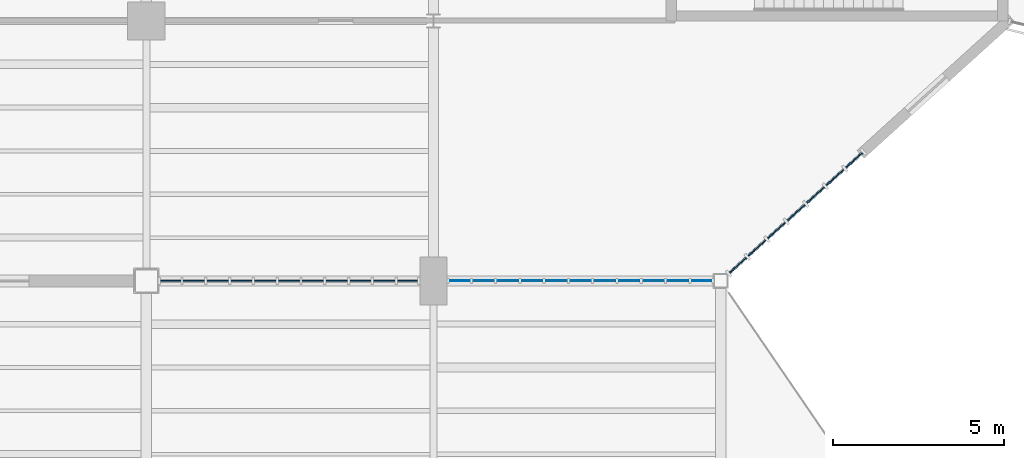
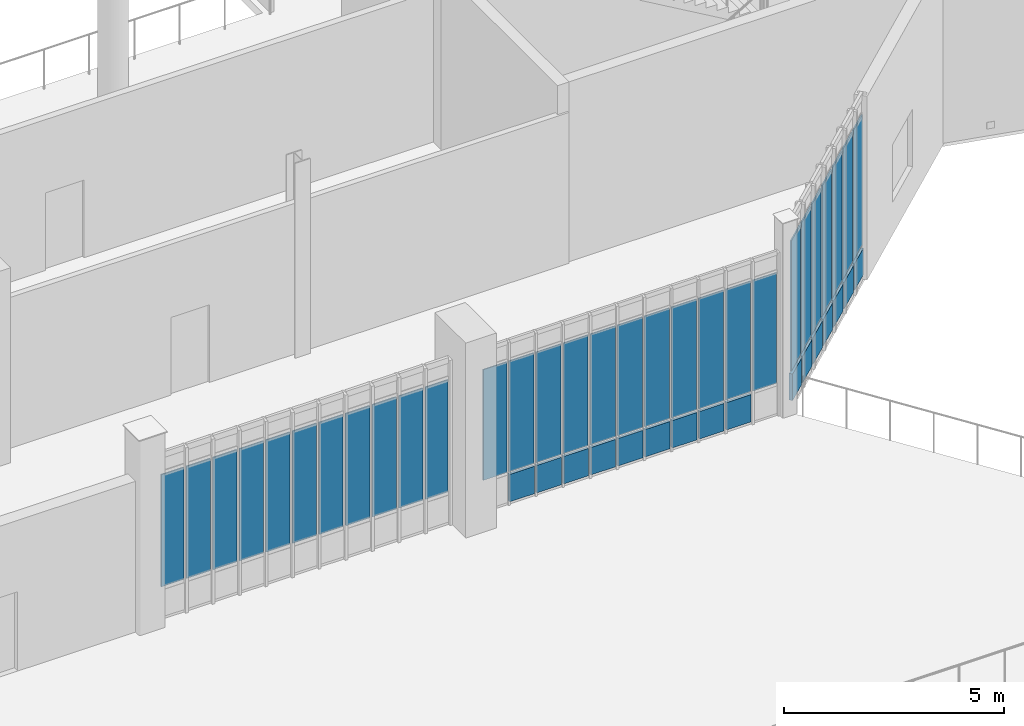
# One storey, part 70 of 127: 45 plates, 3 elements without a shape of their own.
"""IFC4 building model written with IfcOpenShell, lengths in metres."""

from ifc_helpers import new_model, si_unit, direction, frame, origin, origin_2d, place, context, subcontext, project, spatial, rectangle, extrude, material, layer, layer_set, type_object, element, aggregate, save


model = new_model("IFC4")

# Units and contexts
model_context = context("Model", 3, precision=1e-05, world=origin(), true_north=direction((0.0, 1.0)))
body_context = subcontext(model_context, "Body", "Model", "MODEL_VIEW")
ifc_project = project(units=[si_unit("LENGTHUNIT", "METRE"), si_unit("AREAUNIT", "SQUARE_METRE"), si_unit("VOLUMEUNIT", "CUBIC_METRE"), si_unit("PLANEANGLEUNIT", "RADIAN"), si_unit("MASSUNIT", "GRAM", prefix="KILO")], contexts=[model_context])

# Site, building, storey
site_placement = place(None, origin())
site = spatial("IfcSite", under=ifc_project, at=site_placement, CompositionType="ELEMENT")
building_placement = place(site_placement, origin())
building = spatial("IfcBuilding", under=site, at=building_placement, Name="Larkvane Passage Sports Hall", CompositionType="ELEMENT")
storey_placement = place(building_placement, frame((0.0, 0.0, 5.39990234375)))
storey = spatial("IfcBuildingStorey", under=building, at=storey_placement, Name="L01", CompositionType="ELEMENT", Elevation=5.39990234375)

# Curtain wall, plates
ifc_material_1 = material(Name="Thermally broken aluminium and low-E glazing", Category="aluminium")
curtain_wall_type_1 = type_object("IfcCurtainWallType", Name="CW-UNIT-COURT", PredefinedType="USERDEFINED", material=ifc_material_1)
curtain_wall_1_placement = place(storey_placement, origin())
curtain_wall_1 = element("IfcCurtainWall", 1, at=curtain_wall_1_placement, inside=storey, type_object=curtain_wall_type_1, Name="Curtain wall CW5-L01-028", ObjectType="UNITISED CURTAIN WALL", PredefinedType="USERDEFINED")
ifc_material_2 = material(Name="Insulated aluminium spandrel panel", Category="aluminium")
ifc_layer_1 = layer(ifc_material_2, 0.06494140625)
ifc_layer_set_1 = layer_set([ifc_layer_1], Name="Insulated aluminium spandrel panel")
plate_type_1 = type_object("IfcPlateType", Name="CWP-SPD-65", PredefinedType="CURTAIN_PANEL", material=ifc_layer_set_1)
plate_1_placement = place(storey_placement, frame((83.939208984375, 15.199951171875, 0.06005859375), z_axis=(0.0, 0.0, 1.0), x_axis=(-1.0, 0.0, 0.0)))
plate_1 = element("IfcPlate", 2, at=plate_1_placement, type_object=plate_type_1, Name="CW-01 panel 2.1", PredefinedType="CURTAIN_PANEL", context=body_context, shape_type="SweptSolid", body=[
    extrude(rectangle(XDim=0.64990234375, YDim=0.06494140625, at=origin_2d()), origin(), (0.0, 0.0, 1.0), 0.760009765625),
])
plate_2_placement = place(storey_placement, frame((83.2294921875, 15.199951171875, 0.06005859375), z_axis=(0.0, 0.0, 1.0), x_axis=(-1.0, 0.0, 0.0)))
plate_2 = element("IfcPlate", 3, at=plate_2_placement, type_object=plate_type_1, Name="CW-01 panel 3.1", PredefinedType="CURTAIN_PANEL", context=body_context, shape_type="SweptSolid", body=[
    extrude(rectangle(XDim=0.64990234375, YDim=0.06494140625, at=origin_2d()), origin(), (0.0, 0.0, 1.0), 0.760009765625),
])
plate_3_placement = place(storey_placement, frame((82.51953125, 15.199951171875, 0.06005859375), z_axis=(0.0, 0.0, 1.0), x_axis=(-1.0, 0.0, 0.0)))
plate_3 = element("IfcPlate", 4, at=plate_3_placement, type_object=plate_type_1, Name="CW-01 panel 4.1", PredefinedType="CURTAIN_PANEL", context=body_context, shape_type="SweptSolid", body=[
    extrude(rectangle(XDim=0.64990234375, YDim=0.06494140625, at=origin_2d()), origin(), (0.0, 0.0, 1.0), 0.760009765625),
])
plate_4_placement = place(storey_placement, frame((81.809814453125, 15.199951171875, 0.06005859375), z_axis=(0.0, 0.0, 1.0), x_axis=(-1.0, 0.0, 0.0)))
plate_4 = element("IfcPlate", 5, at=plate_4_placement, type_object=plate_type_1, Name="CW-01 panel 5.1", PredefinedType="CURTAIN_PANEL", context=body_context, shape_type="SweptSolid", body=[
    extrude(rectangle(XDim=0.64990234375, YDim=0.06494140625, at=origin_2d()), origin(), (0.0, 0.0, 1.0), 0.760009765625),
])
plate_5_placement = place(storey_placement, frame((81.10009765625, 15.199951171875, 0.06005859375), z_axis=(0.0, 0.0, 1.0), x_axis=(-1.0, 0.0, 0.0)))
plate_5 = element("IfcPlate", 6, at=plate_5_placement, type_object=plate_type_1, Name="CW-01 panel 6.1", PredefinedType="CURTAIN_PANEL", context=body_context, shape_type="SweptSolid", body=[
    extrude(rectangle(XDim=0.64990234375, YDim=0.06494140625, at=origin_2d()), origin(), (0.0, 0.0, 1.0), 0.760009765625),
])
plate_6_placement = place(storey_placement, frame((80.39013671875, 15.199951171875, 0.06005859375), z_axis=(0.0, 0.0, 1.0), x_axis=(-1.0, 0.0, 0.0)))
plate_6 = element("IfcPlate", 7, at=plate_6_placement, type_object=plate_type_1, Name="CW-01 panel 7.1", PredefinedType="CURTAIN_PANEL", context=body_context, shape_type="SweptSolid", body=[
    extrude(rectangle(XDim=0.64990234375, YDim=0.06494140625, at=origin_2d()), origin(), (0.0, 0.0, 1.0), 0.760009765625),
])
plate_7_placement = place(storey_placement, frame((79.680419921875, 15.199951171875, 0.06005859375), z_axis=(0.0, 0.0, 1.0), x_axis=(-1.0, 0.0, 0.0)))
plate_7 = element("IfcPlate", 8, at=plate_7_placement, type_object=plate_type_1, Name="CW-01 panel 8.1", PredefinedType="CURTAIN_PANEL", context=body_context, shape_type="SweptSolid", body=[
    extrude(rectangle(XDim=0.64990234375, YDim=0.06494140625, at=origin_2d()), origin(), (0.0, 0.0, 1.0), 0.760009765625),
])
plate_8_placement = place(storey_placement, frame((78.970458984375, 15.199951171875, 0.06005859375), z_axis=(0.0, 0.0, 1.0), x_axis=(-1.0, 0.0, 0.0)))
plate_8 = element("IfcPlate", 9, at=plate_8_placement, type_object=plate_type_1, Name="CW-01 panel 9.1", PredefinedType="CURTAIN_PANEL", context=body_context, shape_type="SweptSolid", body=[
    extrude(rectangle(XDim=0.64990234375, YDim=0.06494140625, at=origin_2d()), origin(), (0.0, 0.0, 1.0), 0.760009765625),
])
plate_9_placement = place(storey_placement, frame((78.2607421875, 15.199951171875, 0.06005859375), z_axis=(0.0, 0.0, 1.0), x_axis=(-1.0, 0.0, 0.0)))
plate_9 = element("IfcPlate", 10, at=plate_9_placement, type_object=plate_type_1, Name="CW-01 panel 10.1", PredefinedType="CURTAIN_PANEL", context=body_context, shape_type="SweptSolid", body=[
    extrude(rectangle(XDim=0.64990234375, YDim=0.06494140625, at=origin_2d()), origin(), (0.0, 0.0, 1.0), 0.760009765625),
])

curtain_wall_type_2 = type_object("IfcCurtainWallType", Name="CW-UNIT-VEIL", PredefinedType="USERDEFINED", material=ifc_material_1)
curtain_wall_2_placement = place(storey_placement, origin())
curtain_wall_2 = element("IfcCurtainWall", 11, at=curtain_wall_2_placement, inside=storey, type_object=curtain_wall_type_2, Name="Curtain wall CW5-L01-065", ObjectType="UNITISED CURTAIN WALL", PredefinedType="USERDEFINED")
ifc_material_3 = material(Name="Mineral-wool insulated spandrel cassette")
ifc_layer_2 = layer(ifc_material_3, 0.0849609375)
ifc_layer_set_2 = layer_set([ifc_layer_2], Name="Mineral-wool insulated spandrel cassette")
plate_type_2 = type_object("IfcPlateType", Name="CWP-SPD-85", PredefinedType="CURTAIN_PANEL", material=ifc_layer_set_2)
plate_10_placement = place(storey_placement, frame((89.100830078125, 18.729248046875, 0.0751953125), z_axis=(0.0, 0.0, 1.0), x_axis=(-0.741532699805, -0.67091672741, 0.0)))
plate_10 = element("IfcPlate", 12, at=plate_10_placement, type_object=plate_type_2, Name="CW-02 panel 1.1", PredefinedType="CURTAIN_PANEL", context=body_context, shape_type="SweptSolid", body=[
    extrude(rectangle(XDim=0.65673828125, YDim=0.0849609375, at=origin_2d()), origin(), (0.0, 0.0, 1.0), 0.737548828125),
])
plate_11_placement = place(storey_placement, frame((88.544189453125, 18.225830078125, 0.0751953125), z_axis=(0.0, 0.0, 1.0), x_axis=(-0.741532699805, -0.67091672741, 0.0)))
plate_11 = element("IfcPlate", 13, at=plate_11_placement, type_object=plate_type_2, Name="CW-02 panel 2.1", PredefinedType="CURTAIN_PANEL", context=body_context, shape_type="SweptSolid", body=[
    extrude(rectangle(XDim=0.6943359375, YDim=0.0849609375, at=origin_2d()), origin(), (0.0, 0.0, 1.0), 0.737548828125),
])
plate_12_placement = place(storey_placement, frame((87.9736328125, 17.70947265625, 0.0751953125), z_axis=(0.0, 0.0, 1.0), x_axis=(-0.741532699805, -0.67091672741, 0.0)))
plate_12 = element("IfcPlate", 14, at=plate_12_placement, type_object=plate_type_2, Name="CW-02 panel 3.1", PredefinedType="CURTAIN_PANEL", context=body_context, shape_type="SweptSolid", body=[
    extrude(rectangle(XDim=0.6943359375, YDim=0.0849609375, at=origin_2d()), origin(), (0.0, 0.0, 1.0), 0.737548828125),
])
plate_13_placement = place(storey_placement, frame((87.4033203125, 17.193359375, 0.0751953125), z_axis=(0.0, 0.0, 1.0), x_axis=(-0.741532699805, -0.67091672741, 0.0)))
plate_13 = element("IfcPlate", 15, at=plate_13_placement, type_object=plate_type_2, Name="CW-02 panel 4.1", PredefinedType="CURTAIN_PANEL", context=body_context, shape_type="SweptSolid", body=[
    extrude(rectangle(XDim=0.6943359375, YDim=0.0849609375, at=origin_2d()), origin(), (0.0, 0.0, 1.0), 0.737548828125),
])
plate_14_placement = place(storey_placement, frame((86.832763671875, 16.67724609375, 0.0751953125), z_axis=(0.0, 0.0, 1.0), x_axis=(-0.741532699805, -0.67091672741, 0.0)))
plate_14 = element("IfcPlate", 16, at=plate_14_placement, type_object=plate_type_2, Name="CW-02 panel 5.1", PredefinedType="CURTAIN_PANEL", context=body_context, shape_type="SweptSolid", body=[
    extrude(rectangle(XDim=0.6943359375, YDim=0.0849609375, at=origin_2d()), origin(), (0.0, 0.0, 1.0), 0.737548828125),
])
plate_15_placement = place(storey_placement, frame((86.26220703125, 16.1611328125, 0.0751953125), z_axis=(0.0, 0.0, 1.0), x_axis=(-0.741532699805, -0.67091672741, 0.0)))
plate_15 = element("IfcPlate", 17, at=plate_15_placement, type_object=plate_type_2, Name="CW-02 panel 6.1", PredefinedType="CURTAIN_PANEL", context=body_context, shape_type="SweptSolid", body=[
    extrude(rectangle(XDim=0.6943359375, YDim=0.0849609375, at=origin_2d()), origin(), (0.0, 0.0, 1.0), 0.737548828125),
])
plate_16_placement = place(storey_placement, frame((85.70556640625, 15.657470703125, 0.0751953125), z_axis=(0.0, 0.0, 1.0), x_axis=(-0.741532699805, -0.67091672741, 0.0)))
plate_16 = element("IfcPlate", 18, at=plate_16_placement, type_object=plate_type_2, Name="CW-02 panel 7.1", PredefinedType="CURTAIN_PANEL", context=body_context, shape_type="SweptSolid", body=[
    extrude(rectangle(XDim=0.65673828125, YDim=0.0849609375, at=origin_2d()), origin(), (0.0, 0.0, 1.0), 0.737548828125),
])

# Plate
ifc_material_4 = material(Name="Solar-control low-E double glazing", Category="glass")
ifc_layer_3 = layer(ifc_material_4, 0.028076171875)
ifc_layer_set_3 = layer_set([ifc_layer_3], Name="Solar-control low-E double glazing")
plate_type_3 = type_object("IfcPlateType", Name="CWP-VIS-28", PredefinedType="CURTAIN_PANEL", material=ifc_layer_set_3)
plate_17_placement = place(storey_placement, frame((84.634033203125, 15.199951171875, 0.8798828125), z_axis=(0.0, 0.0, 1.0), x_axis=(-1.0, 0.0, 0.0)))
plate_17 = element("IfcPlate", 19, at=plate_17_placement, type_object=plate_type_3, Name="CW-01 panel 1.2", PredefinedType="CURTAIN_PANEL", context=body_context, shape_type="SweptSolid", body=[
    extrude(rectangle(XDim=0.619873046875, YDim=0.028076171875, at=origin_2d()), origin(), (0.0, 0.0, 1.0), 3.068115234375),
])

plate_18_placement = place(storey_placement, frame((83.939208984375, 15.199951171875, 0.8798828125), z_axis=(0.0, 0.0, 1.0), x_axis=(-1.0, 0.0, 0.0)))
plate_18 = element("IfcPlate", 20, at=plate_18_placement, type_object=plate_type_3, Name="CW-01 panel 2.2", PredefinedType="CURTAIN_PANEL", context=body_context, shape_type="SweptSolid", body=[
    extrude(rectangle(XDim=0.64990234375, YDim=0.028076171875, at=origin_2d()), origin(), (0.0, 0.0, 1.0), 3.068115234375),
])

plate_19_placement = place(storey_placement, frame((83.2294921875, 15.199951171875, 0.8798828125), z_axis=(0.0, 0.0, 1.0), x_axis=(-1.0, 0.0, 0.0)))
plate_19 = element("IfcPlate", 21, at=plate_19_placement, type_object=plate_type_3, Name="CW-01 panel 3.2", PredefinedType="CURTAIN_PANEL", context=body_context, shape_type="SweptSolid", body=[
    extrude(rectangle(XDim=0.64990234375, YDim=0.028076171875, at=origin_2d()), origin(), (0.0, 0.0, 1.0), 3.068115234375),
])

plate_20_placement = place(storey_placement, frame((82.51953125, 15.199951171875, 0.8798828125), z_axis=(0.0, 0.0, 1.0), x_axis=(-1.0, 0.0, 0.0)))
plate_20 = element("IfcPlate", 22, at=plate_20_placement, type_object=plate_type_3, Name="CW-01 panel 4.2", PredefinedType="CURTAIN_PANEL", context=body_context, shape_type="SweptSolid", body=[
    extrude(rectangle(XDim=0.64990234375, YDim=0.028076171875, at=origin_2d()), origin(), (0.0, 0.0, 1.0), 3.068115234375),
])

plate_21_placement = place(storey_placement, frame((81.809814453125, 15.199951171875, 0.8798828125), z_axis=(0.0, 0.0, 1.0), x_axis=(-1.0, 0.0, 0.0)))
plate_21 = element("IfcPlate", 23, at=plate_21_placement, type_object=plate_type_3, Name="CW-01 panel 5.2", PredefinedType="CURTAIN_PANEL", context=body_context, shape_type="SweptSolid", body=[
    extrude(rectangle(XDim=0.64990234375, YDim=0.028076171875, at=origin_2d()), origin(), (0.0, 0.0, 1.0), 3.068115234375),
])

plate_22_placement = place(storey_placement, frame((81.10009765625, 15.199951171875, 0.8798828125), z_axis=(0.0, 0.0, 1.0), x_axis=(-1.0, 0.0, 0.0)))
plate_22 = element("IfcPlate", 24, at=plate_22_placement, type_object=plate_type_3, Name="CW-01 panel 6.2", PredefinedType="CURTAIN_PANEL", context=body_context, shape_type="SweptSolid", body=[
    extrude(rectangle(XDim=0.64990234375, YDim=0.028076171875, at=origin_2d()), origin(), (0.0, 0.0, 1.0), 3.068115234375),
])

plate_23_placement = place(storey_placement, frame((80.39013671875, 15.199951171875, 0.8798828125), z_axis=(0.0, 0.0, 1.0), x_axis=(-1.0, 0.0, 0.0)))
plate_23 = element("IfcPlate", 25, at=plate_23_placement, type_object=plate_type_3, Name="CW-01 panel 7.2", PredefinedType="CURTAIN_PANEL", context=body_context, shape_type="SweptSolid", body=[
    extrude(rectangle(XDim=0.64990234375, YDim=0.028076171875, at=origin_2d()), origin(), (0.0, 0.0, 1.0), 3.068115234375),
])

plate_24_placement = place(storey_placement, frame((79.680419921875, 15.199951171875, 0.8798828125), z_axis=(0.0, 0.0, 1.0), x_axis=(-1.0, 0.0, 0.0)))
plate_24 = element("IfcPlate", 26, at=plate_24_placement, type_object=plate_type_3, Name="CW-01 panel 8.2", PredefinedType="CURTAIN_PANEL", context=body_context, shape_type="SweptSolid", body=[
    extrude(rectangle(XDim=0.64990234375, YDim=0.028076171875, at=origin_2d()), origin(), (0.0, 0.0, 1.0), 3.068115234375),
])

plate_25_placement = place(storey_placement, frame((78.970458984375, 15.199951171875, 0.8798828125), z_axis=(0.0, 0.0, 1.0), x_axis=(-1.0, 0.0, 0.0)))
plate_25 = element("IfcPlate", 27, at=plate_25_placement, type_object=plate_type_3, Name="CW-01 panel 9.2", PredefinedType="CURTAIN_PANEL", context=body_context, shape_type="SweptSolid", body=[
    extrude(rectangle(XDim=0.64990234375, YDim=0.028076171875, at=origin_2d()), origin(), (0.0, 0.0, 1.0), 3.068115234375),
])

plate_26_placement = place(storey_placement, frame((78.2607421875, 15.199951171875, 0.8798828125), z_axis=(0.0, 0.0, 1.0), x_axis=(-1.0, 0.0, 0.0)))
plate_26 = element("IfcPlate", 28, at=plate_26_placement, type_object=plate_type_3, Name="CW-01 panel 10.2", PredefinedType="CURTAIN_PANEL", context=body_context, shape_type="SweptSolid", body=[
    extrude(rectangle(XDim=0.64990234375, YDim=0.028076171875, at=origin_2d()), origin(), (0.0, 0.0, 1.0), 3.068115234375),
])

plate_27_placement = place(storey_placement, frame((77.56591796875, 15.199951171875, 0.8798828125), z_axis=(0.0, 0.0, 1.0), x_axis=(-1.0, 0.0, 0.0)))
plate_27 = element("IfcPlate", 29, at=plate_27_placement, type_object=plate_type_3, Name="CW-01 panel 11.2", PredefinedType="CURTAIN_PANEL", context=body_context, shape_type="SweptSolid", body=[
    extrude(rectangle(XDim=0.619873046875, YDim=0.028076171875, at=origin_2d()), origin(), (0.0, 0.0, 1.0), 3.068115234375),
])

aggregate(curtain_wall_1, [plate_17, plate_1, plate_18, plate_2, plate_19, plate_3, plate_20, plate_4, plate_21, plate_5, plate_22, plate_6, plate_23, plate_7, plate_24, plate_8, plate_25, plate_9, plate_26, plate_27])

# Curtain wall, plates
curtain_wall_3_placement = place(storey_placement, origin())
curtain_wall_3 = element("IfcCurtainWall", 30, at=curtain_wall_3_placement, inside=storey, type_object=curtain_wall_type_2, Name="Curtain wall CW5-L01-029", ObjectType="UNITISED CURTAIN WALL", PredefinedType="USERDEFINED")
ifc_material_5 = material(Name="Laminated acoustic low-E glazing", Category="glass")
ifc_layer_4 = layer(ifc_material_5, 0.031982421875)
ifc_layer_set_4 = layer_set([ifc_layer_4], Name="Laminated acoustic low-E glazing")
plate_type_4 = type_object("IfcPlateType", Name="CWP-VIS-32", PredefinedType="CURTAIN_PANEL", material=ifc_layer_set_4)
plate_28_placement = place(storey_placement, frame((76.038330078125, 15.199951171875, 0.88525390625), z_axis=(0.0, 0.0, 1.0), x_axis=(-1.0, 0.0, 0.0)))
plate_28 = element("IfcPlate", 31, at=plate_28_placement, type_object=plate_type_4, Name="CW-02 panel 1.2", PredefinedType="CURTAIN_PANEL", context=body_context, shape_type="SweptSolid", body=[
    extrude(rectangle(XDim=0.591064453125, YDim=0.031982421875, at=origin_2d()), origin(), (0.0, 0.0, 1.0), 3.10791015625),
])
plate_29_placement = place(storey_placement, frame((75.359619140625, 15.199951171875, 0.88525390625), z_axis=(0.0, 0.0, 1.0), x_axis=(-1.0, 0.0, 0.0)))
plate_29 = element("IfcPlate", 32, at=plate_29_placement, type_object=plate_type_4, Name="CW-02 panel 2.2", PredefinedType="CURTAIN_PANEL", context=body_context, shape_type="SweptSolid", body=[
    extrude(rectangle(XDim=0.626220703125, YDim=0.031982421875, at=origin_2d()), origin(), (0.0, 0.0, 1.0), 3.10791015625),
])
plate_30_placement = place(storey_placement, frame((74.66357421875, 15.199951171875, 0.88525390625), z_axis=(0.0, 0.0, 1.0), x_axis=(-1.0, 0.0, 0.0)))
plate_30 = element("IfcPlate", 33, at=plate_30_placement, type_object=plate_type_4, Name="CW-02 panel 3.2", PredefinedType="CURTAIN_PANEL", context=body_context, shape_type="SweptSolid", body=[
    extrude(rectangle(XDim=0.626220703125, YDim=0.031982421875, at=origin_2d()), origin(), (0.0, 0.0, 1.0), 3.10791015625),
])
plate_31_placement = place(storey_placement, frame((73.96728515625, 15.199951171875, 0.88525390625), z_axis=(0.0, 0.0, 1.0), x_axis=(-1.0, 0.0, 0.0)))
plate_31 = element("IfcPlate", 34, at=plate_31_placement, type_object=plate_type_4, Name="CW-02 panel 4.2", PredefinedType="CURTAIN_PANEL", context=body_context, shape_type="SweptSolid", body=[
    extrude(rectangle(XDim=0.626220703125, YDim=0.031982421875, at=origin_2d()), origin(), (0.0, 0.0, 1.0), 3.10791015625),
])
plate_32_placement = place(storey_placement, frame((73.271240234375, 15.199951171875, 0.88525390625), z_axis=(0.0, 0.0, 1.0), x_axis=(-1.0, 0.0, 0.0)))
plate_32 = element("IfcPlate", 35, at=plate_32_placement, type_object=plate_type_4, Name="CW-02 panel 5.2", PredefinedType="CURTAIN_PANEL", context=body_context, shape_type="SweptSolid", body=[
    extrude(rectangle(XDim=0.626220703125, YDim=0.031982421875, at=origin_2d()), origin(), (0.0, 0.0, 1.0), 3.10791015625),
])
plate_33_placement = place(storey_placement, frame((72.574951171875, 15.199951171875, 0.88525390625), z_axis=(0.0, 0.0, 1.0), x_axis=(-1.0, 0.0, 0.0)))
plate_33 = element("IfcPlate", 36, at=plate_33_placement, type_object=plate_type_4, Name="CW-02 panel 6.2", PredefinedType="CURTAIN_PANEL", context=body_context, shape_type="SweptSolid", body=[
    extrude(rectangle(XDim=0.626220703125, YDim=0.031982421875, at=origin_2d()), origin(), (0.0, 0.0, 1.0), 3.10791015625),
])
plate_34_placement = place(storey_placement, frame((71.87890625, 15.199951171875, 0.88525390625), z_axis=(0.0, 0.0, 1.0), x_axis=(-1.0, 0.0, 0.0)))
plate_34 = element("IfcPlate", 37, at=plate_34_placement, type_object=plate_type_4, Name="CW-02 panel 7.2", PredefinedType="CURTAIN_PANEL", context=body_context, shape_type="SweptSolid", body=[
    extrude(rectangle(XDim=0.626220703125, YDim=0.031982421875, at=origin_2d()), origin(), (0.0, 0.0, 1.0), 3.10791015625),
])
plate_35_placement = place(storey_placement, frame((71.1826171875, 15.199951171875, 0.88525390625), z_axis=(0.0, 0.0, 1.0), x_axis=(-1.0, 0.0, 0.0)))
plate_35 = element("IfcPlate", 38, at=plate_35_placement, type_object=plate_type_4, Name="CW-02 panel 8.2", PredefinedType="CURTAIN_PANEL", context=body_context, shape_type="SweptSolid", body=[
    extrude(rectangle(XDim=0.626220703125, YDim=0.031982421875, at=origin_2d()), origin(), (0.0, 0.0, 1.0), 3.10791015625),
])
plate_36_placement = place(storey_placement, frame((70.486572265625, 15.199951171875, 0.88525390625), z_axis=(0.0, 0.0, 1.0), x_axis=(-1.0, 0.0, 0.0)))
plate_36 = element("IfcPlate", 39, at=plate_36_placement, type_object=plate_type_4, Name="CW-02 panel 9.2", PredefinedType="CURTAIN_PANEL", context=body_context, shape_type="SweptSolid", body=[
    extrude(rectangle(XDim=0.626220703125, YDim=0.031982421875, at=origin_2d()), origin(), (0.0, 0.0, 1.0), 3.10791015625),
])
plate_37_placement = place(storey_placement, frame((69.790283203125, 15.199951171875, 0.88525390625), z_axis=(0.0, 0.0, 1.0), x_axis=(-1.0, 0.0, 0.0)))
plate_37 = element("IfcPlate", 40, at=plate_37_placement, type_object=plate_type_4, Name="CW-02 panel 10.2", PredefinedType="CURTAIN_PANEL", context=body_context, shape_type="SweptSolid", body=[
    extrude(rectangle(XDim=0.626220703125, YDim=0.031982421875, at=origin_2d()), origin(), (0.0, 0.0, 1.0), 3.10791015625),
])
plate_38_placement = place(storey_placement, frame((69.111572265625, 15.199951171875, 0.88525390625), z_axis=(0.0, 0.0, 1.0), x_axis=(-1.0, 0.0, 0.0)))
plate_38 = element("IfcPlate", 41, at=plate_38_placement, type_object=plate_type_4, Name="CW-02 panel 11.2", PredefinedType="CURTAIN_PANEL", context=body_context, shape_type="SweptSolid", body=[
    extrude(rectangle(XDim=0.591064453125, YDim=0.031982421875, at=origin_2d()), origin(), (0.0, 0.0, 1.0), 3.10791015625),
])
aggregate(curtain_wall_3, [plate_28, plate_29, plate_30, plate_31, plate_32, plate_33, plate_34, plate_35, plate_36, plate_37, plate_38])

# Plate
plate_39_placement = place(storey_placement, frame((89.100830078125, 18.729248046875, 0.8876953125), z_axis=(0.0, 0.0, 1.0), x_axis=(-0.741532699805, -0.67091672741, 0.0)))
plate_39 = element("IfcPlate", 42, at=plate_39_placement, type_object=plate_type_4, Name="CW-02 panel 1.2", PredefinedType="CURTAIN_PANEL", context=body_context, shape_type="SweptSolid", body=[
    extrude(rectangle(XDim=0.65673828125, YDim=0.031982421875, at=origin_2d()), origin(), (0.0, 0.0, 1.0), 3.614990234375),
])

plate_40_placement = place(storey_placement, frame((88.544189453125, 18.225830078125, 0.8876953125), z_axis=(0.0, 0.0, 1.0), x_axis=(-0.741532699805, -0.67091672741, 0.0)))
plate_40 = element("IfcPlate", 43, at=plate_40_placement, type_object=plate_type_4, Name="CW-02 panel 2.2", PredefinedType="CURTAIN_PANEL", context=body_context, shape_type="SweptSolid", body=[
    extrude(rectangle(XDim=0.6943359375, YDim=0.031982421875, at=origin_2d()), origin(), (0.0, 0.0, 1.0), 3.614990234375),
])

plate_41_placement = place(storey_placement, frame((87.9736328125, 17.70947265625, 0.8876953125), z_axis=(0.0, 0.0, 1.0), x_axis=(-0.741532699805, -0.67091672741, 0.0)))
plate_41 = element("IfcPlate", 44, at=plate_41_placement, type_object=plate_type_4, Name="CW-02 panel 3.2", PredefinedType="CURTAIN_PANEL", context=body_context, shape_type="SweptSolid", body=[
    extrude(rectangle(XDim=0.6943359375, YDim=0.031982421875, at=origin_2d()), origin(), (0.0, 0.0, 1.0), 3.614990234375),
])

plate_42_placement = place(storey_placement, frame((87.4033203125, 17.193359375, 0.8876953125), z_axis=(0.0, 0.0, 1.0), x_axis=(-0.741532699805, -0.67091672741, 0.0)))
plate_42 = element("IfcPlate", 45, at=plate_42_placement, type_object=plate_type_4, Name="CW-02 panel 4.2", PredefinedType="CURTAIN_PANEL", context=body_context, shape_type="SweptSolid", body=[
    extrude(rectangle(XDim=0.6943359375, YDim=0.031982421875, at=origin_2d()), origin(), (0.0, 0.0, 1.0), 3.614990234375),
])

plate_43_placement = place(storey_placement, frame((86.832763671875, 16.67724609375, 0.8876953125), z_axis=(0.0, 0.0, 1.0), x_axis=(-0.741532699805, -0.67091672741, 0.0)))
plate_43 = element("IfcPlate", 46, at=plate_43_placement, type_object=plate_type_4, Name="CW-02 panel 5.2", PredefinedType="CURTAIN_PANEL", context=body_context, shape_type="SweptSolid", body=[
    extrude(rectangle(XDim=0.6943359375, YDim=0.031982421875, at=origin_2d()), origin(), (0.0, 0.0, 1.0), 3.614990234375),
])

plate_44_placement = place(storey_placement, frame((86.26220703125, 16.1611328125, 0.8876953125), z_axis=(0.0, 0.0, 1.0), x_axis=(-0.741532699805, -0.67091672741, 0.0)))
plate_44 = element("IfcPlate", 47, at=plate_44_placement, type_object=plate_type_4, Name="CW-02 panel 6.2", PredefinedType="CURTAIN_PANEL", context=body_context, shape_type="SweptSolid", body=[
    extrude(rectangle(XDim=0.6943359375, YDim=0.031982421875, at=origin_2d()), origin(), (0.0, 0.0, 1.0), 3.614990234375),
])

plate_45_placement = place(storey_placement, frame((85.70556640625, 15.657470703125, 0.8876953125), z_axis=(0.0, 0.0, 1.0), x_axis=(-0.741532699805, -0.67091672741, 0.0)))
plate_45 = element("IfcPlate", 48, at=plate_45_placement, type_object=plate_type_4, Name="CW-02 panel 7.2", PredefinedType="CURTAIN_PANEL", context=body_context, shape_type="SweptSolid", body=[
    extrude(rectangle(XDim=0.65673828125, YDim=0.031982421875, at=origin_2d()), origin(), (0.0, 0.0, 1.0), 3.614990234375),
])

aggregate(curtain_wall_2, [plate_10, plate_39, plate_11, plate_40, plate_12, plate_41, plate_13, plate_42, plate_14, plate_43, plate_15, plate_44, plate_16, plate_45])

save(model, "model.ifc")
